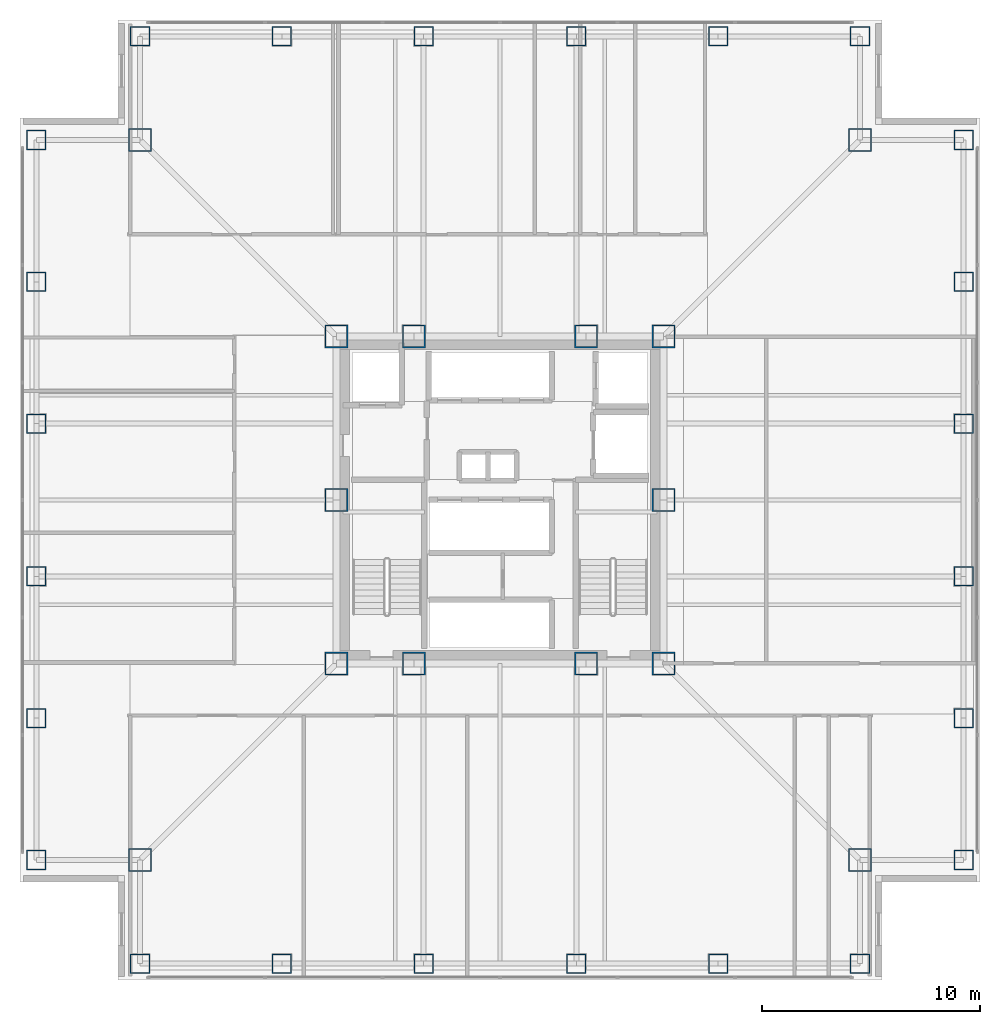
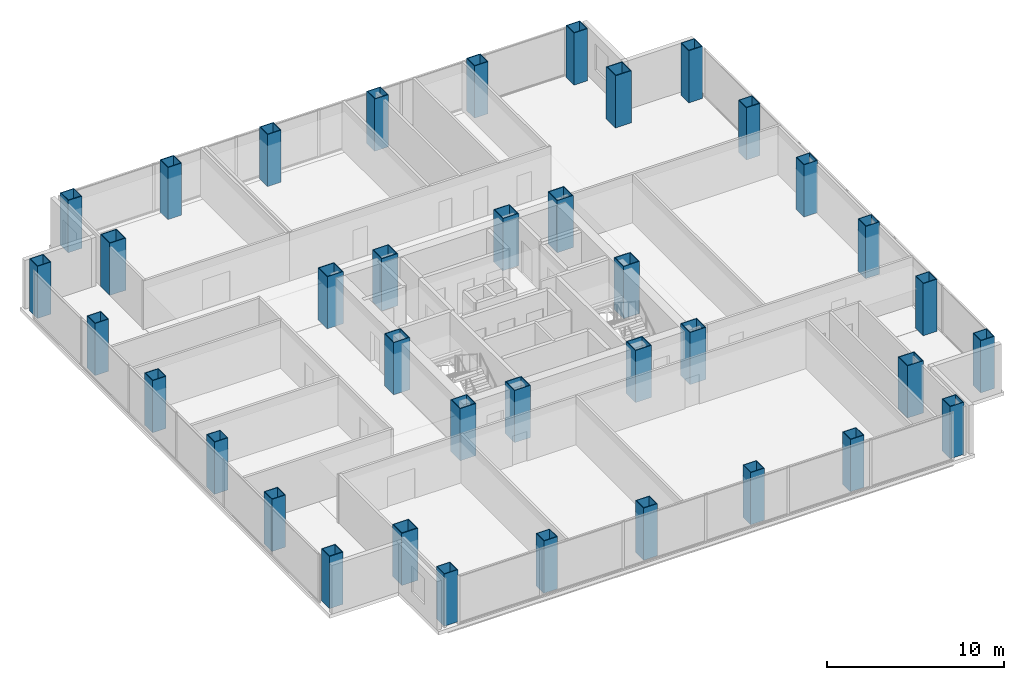
# One storey, part 1 of 14: 38 columns.
"""IFC4 building model written with IfcOpenShell, lengths in metres."""

from ifc_helpers import new_model, si_unit, direction, frame, origin, origin_2d, place, context, subcontext, project, spatial, hollow_rectangle, extrude, material, material_profile, profile_set, type_object, element, save


model = new_model("IFC4")

# Units and contexts
model_context = context("Model", 3, precision=1e-05, world=origin(), true_north=direction((0.0, 1.0)))
body_context = subcontext(model_context, "Body", "Model", "MODEL_VIEW")
ifc_project = project(units=[si_unit("LENGTHUNIT", "METRE"), si_unit("AREAUNIT", "SQUARE_METRE"), si_unit("VOLUMEUNIT", "CUBIC_METRE"), si_unit("PLANEANGLEUNIT", "RADIAN"), si_unit("MASSUNIT", "GRAM", prefix="KILO")], contexts=[model_context])

# Site, building, storey
site_placement = place(None, origin())
site = spatial("IfcSite", under=ifc_project, at=site_placement, CompositionType="ELEMENT")
building_placement = place(site_placement, origin())
building = spatial("IfcBuilding", under=site, at=building_placement, Name="Trevonay Congress Spire", CompositionType="ELEMENT")
storey_placement = place(building_placement, frame((0.0, 0.0, 97.60009765625)))
storey = spatial("IfcBuildingStorey", under=building, at=storey_placement, Name="L24", CompositionType="ELEMENT", Elevation=97.60009765625)

# Columns
ifc_material = material(Name="Steel ASTM A572 Grade 50", Category="steel")
ifc_material_profile_1 = material_profile(ifc_material, hollow_rectangle(XDim=1.050048828125, YDim=1.050048828125, WallThickness=0.050048828125, at=origin_2d()), Name="BOX 1050x1050x50")
ifc_profile_set_1 = profile_set([ifc_material_profile_1], Name="Steel ASTM A572 Grade 50")
column_type_1 = type_object("IfcColumnType", Name="COL-CORE-BOX1050", PredefinedType="COLUMN", material=ifc_profile_set_1)
for number, where, z_axis, x_axis, name in (
    (1, (-7.5, -7.5, 0.0), (0.0, 0.0, 1.0), (1.0, 0.0, 0.0), "L24 column C03 at CC-SW"),
    (2, (-3.949951171875, -7.5, 0.0), (0.0, 0.0, 1.0), (1.0, 0.0, 0.0), "L24 column C03 at CC-SMW"),
    (3, (3.949951171875, -7.5, 0.0), (0.0, 0.0, 1.0), (1.0, 0.0, 0.0), "L24 column C03 at CC-SME"),
    (4, (7.5, -7.5, 0.0), (0.0, 0.0, 1.0), (1.0, 0.0, 0.0), "L24 column C03 at CC-SE"),
    (5, (7.5, 0.0, 0.0), (0.0, 0.0, 1.0), (1.0, 0.0, 0.0), "L24 column C03 at CC-E"),
    (6, (7.5, 7.5, 0.0), (0.0, 0.0, 1.0), (1.0, 0.0, 0.0), "L24 column C03 at CC-NE"),
    (7, (3.949951171875, 7.5, 0.0), (0.0, 0.0, 1.0), (1.0, 0.0, 0.0), "L24 column C03 at CC-NME"),
    (8, (-3.949951171875, 7.5, 0.0), (0.0, 0.0, 1.0), (1.0, 0.0, 0.0), "L24 column C03 at CC-NMW"),
    (9, (-7.5, 7.5, 0.0), (0.0, 0.0, 1.0), (1.0, 0.0, 0.0), "L24 column C03 at CC-NW"),
    (10, (-7.5, 0.0, 0.0), (0.0, 0.0, 1.0), (1.0, 0.0, 0.0), "L24 column C03 at CC-W"),
):
    element("IfcColumn", number, at=place(storey_placement, frame(where, z_axis=z_axis, x_axis=x_axis)), inside=storey, type_object=column_type_1, Name=name, PredefinedType="COLUMN", context=body_context, shape_type="SweptSolid", body=[
        extrude(hollow_rectangle(XDim=1.050048828125, YDim=1.050048828125, WallThickness=0.050048828125, at=origin_2d()), origin(), (0.0, 0.0, 1.0), 3.599853515625),
    ])
ifc_material_profile_2 = material_profile(ifc_material, hollow_rectangle(XDim=1.050048828125, YDim=1.050048828125, WallThickness=0.050048828125, at=origin_2d()), Name="BOX 1050x1050x50")
ifc_profile_set_2 = profile_set([ifc_material_profile_2], Name="Steel ASTM A572 Grade 50")
column_type_2 = type_object("IfcColumnType", Name="COL-TUBE-BOX1050", PredefinedType="COLUMN", material=ifc_profile_set_2)
for number, where, z_axis, x_axis, name in (
    (11, (-16.5, -16.5, 0.0), (0.0, 0.0, 1.0), (1.0, 0.0, 0.0), "L24 column C14 at NC-SW"),
    (12, (16.5, -16.5, 0.0), (0.0, 0.0, 1.0), (1.0, 0.0, 0.0), "L24 column C14 at NC-SE"),
    (13, (16.5, 16.5, 0.0), (0.0, 0.0, 1.0), (1.0, 0.0, 0.0), "L24 column C14 at NC-NE"),
    (14, (-16.5, 16.5, 0.0), (0.0, 0.0, 1.0), (1.0, 0.0, 0.0), "L24 column C14 at NC-NW"),
):
    element("IfcColumn", number, at=place(storey_placement, frame(where, z_axis=z_axis, x_axis=x_axis)), inside=storey, type_object=column_type_2, Name=name, PredefinedType="COLUMN", context=body_context, shape_type="SweptSolid", body=[
        extrude(hollow_rectangle(XDim=1.050048828125, YDim=1.050048828125, WallThickness=0.050048828125, at=origin_2d()), origin(), (0.0, 0.0, 1.0), 3.599853515625),
    ])
ifc_material_profile_3 = material_profile(ifc_material, hollow_rectangle(XDim=0.89990234375, YDim=0.89990234375, WallThickness=0.044921875, at=origin_2d()), Name="BOX 900x900x45")
ifc_profile_set_3 = profile_set([ifc_material_profile_3], Name="Steel ASTM A572 Grade 50")
column_type_3 = type_object("IfcColumnType", Name="COL-TUBE-BOX900", PredefinedType="COLUMN", material=ifc_profile_set_3)
for number, where, z_axis, x_axis, name in (
    (15, (-16.5, -21.25, 0.0), (0.0, 0.0, 1.0), (1.0, 0.0, 0.0), "L24 column C15 at TS-1"),
    (16, (-16.5, 21.25, 0.0), (0.0, 0.0, 1.0), (1.0, 0.0, 0.0), "L24 column C15 at TN-1"),
    (17, (-21.25, -16.5, 0.0), (0.0, 0.0, 1.0), (1.0, 0.0, 0.0), "L24 column C15 at TW-1"),
    (18, (21.25, -16.5, 0.0), (0.0, 0.0, 1.0), (1.0, 0.0, 0.0), "L24 column C15 at TE-1"),
    (19, (-10.0, -21.25, 0.0), (0.0, 0.0, 1.0), (1.0, 0.0, 0.0), "L24 column C15 at TS-2"),
    (20, (-10.0, 21.25, 0.0), (0.0, 0.0, 1.0), (1.0, 0.0, 0.0), "L24 column C15 at TN-2"),
    (21, (-21.25, -10.0, 0.0), (0.0, 0.0, 1.0), (1.0, 0.0, 0.0), "L24 column C15 at TW-2"),
    (22, (21.25, -10.0, 0.0), (0.0, 0.0, 1.0), (1.0, 0.0, 0.0), "L24 column C15 at TE-2"),
    (23, (-3.5, -21.25, 0.0), (0.0, 0.0, 1.0), (1.0, 0.0, 0.0), "L24 column C15 at TS-3"),
    (24, (-3.5, 21.25, 0.0), (0.0, 0.0, 1.0), (1.0, 0.0, 0.0), "L24 column C15 at TN-3"),
    (25, (-21.25, -3.5, 0.0), (0.0, 0.0, 1.0), (1.0, 0.0, 0.0), "L24 column C15 at TW-3"),
    (26, (21.25, -3.5, 0.0), (0.0, 0.0, 1.0), (1.0, 0.0, 0.0), "L24 column C15 at TE-3"),
    (27, (3.5, -21.25, 0.0), (0.0, 0.0, 1.0), (1.0, 0.0, 0.0), "L24 column C15 at TS-4"),
    (28, (3.5, 21.25, 0.0), (0.0, 0.0, 1.0), (1.0, 0.0, 0.0), "L24 column C15 at TN-4"),
    (29, (-21.25, 3.5, 0.0), (0.0, 0.0, 1.0), (1.0, 0.0, 0.0), "L24 column C15 at TW-4"),
    (30, (21.25, 3.5, 0.0), (0.0, 0.0, 1.0), (1.0, 0.0, 0.0), "L24 column C15 at TE-4"),
    (31, (10.0, -21.25, 0.0), (0.0, 0.0, 1.0), (1.0, 0.0, 0.0), "L24 column C15 at TS-5"),
    (32, (10.0, 21.25, 0.0), (0.0, 0.0, 1.0), (1.0, 0.0, 0.0), "L24 column C15 at TN-5"),
    (33, (-21.25, 10.0, 0.0), (0.0, 0.0, 1.0), (1.0, 0.0, 0.0), "L24 column C15 at TW-5"),
    (34, (21.25, 10.0, 0.0), (0.0, 0.0, 1.0), (1.0, 0.0, 0.0), "L24 column C15 at TE-5"),
    (35, (16.5, -21.25, 0.0), (0.0, 0.0, 1.0), (1.0, 0.0, 0.0), "L24 column C15 at TS-6"),
    (36, (16.5, 21.25, 0.0), (0.0, 0.0, 1.0), (1.0, 0.0, 0.0), "L24 column C15 at TN-6"),
    (37, (-21.25, 16.5, 0.0), (0.0, 0.0, 1.0), (1.0, 0.0, 0.0), "L24 column C15 at TW-6"),
    (38, (21.25, 16.5, 0.0), (0.0, 0.0, 1.0), (1.0, 0.0, 0.0), "L24 column C15 at TE-6"),
):
    element("IfcColumn", number, at=place(storey_placement, frame(where, z_axis=z_axis, x_axis=x_axis)), inside=storey, type_object=column_type_3, Name=name, PredefinedType="COLUMN", context=body_context, shape_type="SweptSolid", body=[
        extrude(hollow_rectangle(XDim=0.89990234375, YDim=0.89990234375, WallThickness=0.044921875, at=origin_2d()), origin(), (0.0, 0.0, 1.0), 3.599853515625),
    ])

save(model, "model.ifc")
